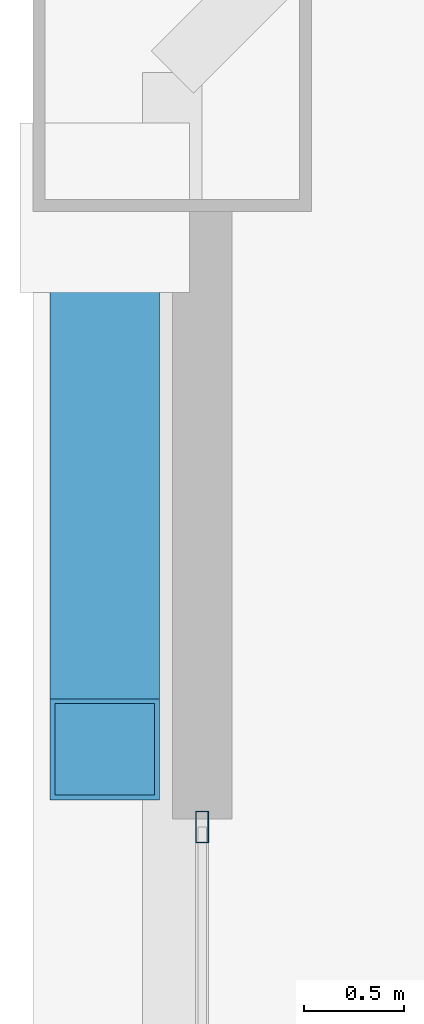
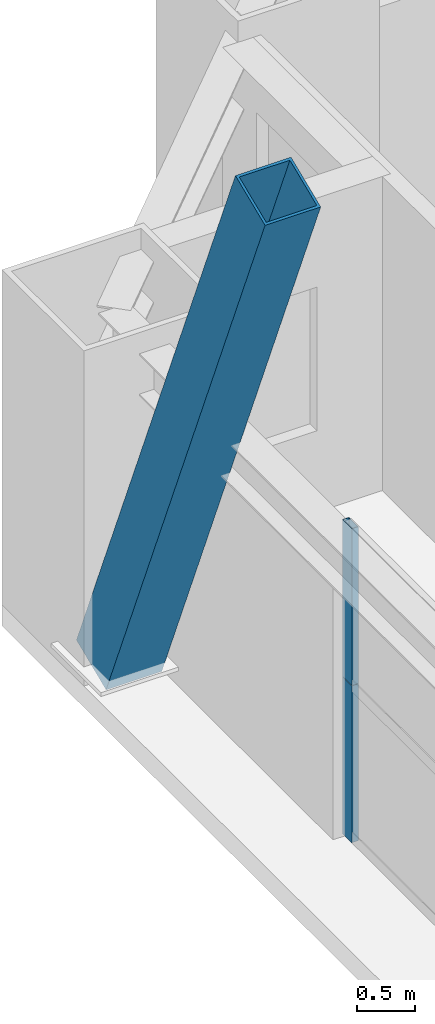
# One storey, part 27 of 42: 3 members, 1 element without a shape of its own.
"""IFC4 building model written with IfcOpenShell, lengths in metres."""

import ifcopenshell
import ifcopenshell.guid

model = None  # the IFC model being written
_history = None  # IfcOwnerHistory: only IFC2X3 demands one
_inside = {}  # id of a spatial element -> (the spatial element, [elements in it])
_under = {}  # id of a project, library or spatial element -> (it, [spatial elements below it])
_declared = {}  # id of a project -> (the project, [libraries it declares])
_typed = {}  # id of a type object -> (the type object, [elements of that type])
_made_of = {}  # id of a material, layer set ... -> (it, [elements and type objects made of it])


def new_model(schema):
    """Start an empty IFC model of exactly this schema.

    Asked for "IFC4X3", IfcOpenShell would pick the latest addendum, in which some entities
    have other attributes; the version numbers below select the first issue.
    IFC2X3 requires an IfcOwnerHistory on every rooted entity: one is made here for all.
    """
    global model, _history
    if schema == "IFC4X3":
        model = ifcopenshell.file(schema_version=(4, 3, 0, 0))
    else:
        model = ifcopenshell.file(schema=schema)
    _inside.clear()
    _under.clear()
    _declared.clear()
    _typed.clear()
    _made_of.clear()
    _history = None
    if model.schema == "IFC2X3":
        org = make("IfcOrganization", Name="unknown")
        user = make(
            "IfcPersonAndOrganization",
            ThePerson=make("IfcPerson", FamilyName="unknown"),
            TheOrganization=org,
        )
        app = make(
            "IfcApplication",
            ApplicationDeveloper=org,
            Version="unknown",
            ApplicationFullName="unknown",
            ApplicationIdentifier="unknown",
        )
        _history = make(
            "IfcOwnerHistory",
            OwningUser=user,
            OwningApplication=app,
            ChangeAction="ADDED",
            CreationDate=0,
        )
    return model


def make(cls, **values):
    """One entity of the class cls with the attributes given. An attribute that is None is left unset."""
    return model.create_entity(
        cls, **{name: value for name, value in values.items() if value is not None}
    )


def rooted(cls, **values):
    """An entity with a GlobalId (a new one), such as an element, a storey or a relation."""
    return make(cls, GlobalId=ifcopenshell.guid.new(), OwnerHistory=_history, **values)


def si_unit(unit_type, name, prefix=None):
    """IfcSIUnit, for example si_unit("LENGTHUNIT", "METRE", prefix="MILLI")."""
    return make("IfcSIUnit", UnitType=unit_type, Prefix=prefix, Name=name)


def assignment(units):
    """IfcUnitAssignment: the units of a project."""
    return None if units is None else make("IfcUnitAssignment", Units=units)


def point(xyz):
    """IfcCartesianPoint."""
    return None if xyz is None else make("IfcCartesianPoint", Coordinates=xyz)


def direction(xyz):
    """IfcDirection."""
    return None if xyz is None else make("IfcDirection", DirectionRatios=xyz)


def frame(location, z_axis=None, x_axis=None):
    """IfcAxis2Placement3D, a coordinate frame: its origin and axes. An axis left out is left unset."""
    return make(
        "IfcAxis2Placement3D",
        Location=point(location),
        Axis=direction(z_axis),
        RefDirection=direction(x_axis),
    )


def frame_2d(location, x_axis=None):
    """IfcAxis2Placement2D, a coordinate frame in the plane: its origin and x axis."""
    return make(
        "IfcAxis2Placement2D", Location=point(location), RefDirection=direction(x_axis)
    )


def origin():
    """The frame at (0, 0, 0) with its axes left unset."""
    return frame((0.0, 0.0, 0.0))


def origin_2d():
    """The frame at (0, 0) in the plane with its x axis left unset."""
    return frame_2d((0.0, 0.0))


def place(relative_to, where):
    """IfcLocalPlacement: puts the frame where relative to a parent placement (None: the world)."""
    return make(
        "IfcLocalPlacement", PlacementRelTo=relative_to, RelativePlacement=where
    )


def context(
    kind, dimensions, precision=None, world=None, true_north=None, identifier=None
):
    """IfcGeometricRepresentationContext, for example the 3D "Model" context."""
    return make(
        "IfcGeometricRepresentationContext",
        ContextIdentifier=identifier,
        ContextType=kind,
        CoordinateSpaceDimension=dimensions,
        Precision=precision,
        WorldCoordinateSystem=world,
        TrueNorth=true_north,
    )


def subcontext(parent, identifier, kind, view, scale=None):
    """IfcGeometricRepresentationSubContext, for example "Body" below "Model"."""
    return make(
        "IfcGeometricRepresentationSubContext",
        ContextIdentifier=identifier,
        ContextType=kind,
        ParentContext=parent,
        TargetScale=scale,
        TargetView=view,
    )


def project(units=None, contexts=None):
    """IfcProject with its units and contexts."""
    return rooted(
        "IfcProject",
        Name="project",
        RepresentationContexts=contexts,
        UnitsInContext=assignment(units),
    )


def spatial(cls, under=None, at=None, **own):
    """A site, building, storey or space (cls), placed at a placement, below another one or the project."""
    s = rooted(cls, ObjectPlacement=at, **own)
    if under is not None:
        _under.setdefault(under.id(), (under, []))[1].append(s)
    return s


def profile(cls, at=None, kind="AREA", **sizes):
    """A parametric profile (cls). Its sizes go by their IFC names, for example OverallWidth=200.0."""
    return make(cls, ProfileType=kind, Position=at, **sizes)


def hollow_rectangle(**sizes):
    """IfcRectangleHollowProfileDef."""
    return profile("IfcRectangleHollowProfileDef", **sizes)


def extrude(swept, where, along, depth):
    """IfcExtrudedAreaSolid: the profile swept, set in the frame where, extruded along a direction by depth."""
    return make(
        "IfcExtrudedAreaSolid",
        SweptArea=swept,
        Position=where,
        ExtrudedDirection=direction(along),
        Depth=depth,
    )


def shape(context_of_items, identifier, shape_type, items):
    """IfcShapeRepresentation: the items that make up one representation, for example the "Body"."""
    return make(
        "IfcShapeRepresentation",
        ContextOfItems=context_of_items,
        RepresentationIdentifier=identifier,
        RepresentationType=shape_type,
        Items=items,
    )


def source(mapping_origin, context_of_items, identifier, shape_type, items):
    """IfcRepresentationMap: a shape defined once, which mapped items show again and again."""
    return make(
        "IfcRepresentationMap",
        MappingOrigin=mapping_origin,
        MappedRepresentation=shape(context_of_items, identifier, shape_type, items),
    )


def transform(
    local_origin,
    x_axis=None,
    y_axis=None,
    z_axis=None,
    scale=None,
    scale2=None,
    scale3=None,
    uniform=True,
):
    """IfcCartesianTransformationOperator3D, or its non-uniform kind. x_axis, y_axis, z_axis: its Axis1, 2, 3."""
    if uniform:
        return make(
            "IfcCartesianTransformationOperator3D",
            Axis1=direction(x_axis),
            Axis2=direction(y_axis),
            LocalOrigin=point(local_origin),
            Scale=scale,
            Axis3=direction(z_axis),
        )
    return make(
        "IfcCartesianTransformationOperator3DnonUniform",
        Axis1=direction(x_axis),
        Axis2=direction(y_axis),
        LocalOrigin=point(local_origin),
        Scale=scale,
        Axis3=direction(z_axis),
        Scale2=scale2,
        Scale3=scale3,
    )


def mapped(mapping_source, mapping_target):
    """IfcMappedItem: shows the shape of a source again, moved by a transform."""
    return make(
        "IfcMappedItem", MappingSource=mapping_source, MappingTarget=mapping_target
    )


def material(Name=None, Category=None):
    """IfcMaterial."""
    return make("IfcMaterial", Name=Name, Category=Category)


def layer(
    of_material, thickness, ventilated=None, Name=None, Category=None, Priority=None
):
    """IfcMaterialLayer: one layer of a wall or slab, of a material (None: an air gap)."""
    return make(
        "IfcMaterialLayer",
        Material=of_material,
        LayerThickness=thickness,
        IsVentilated=ventilated,
        Name=Name,
        Category=Category,
        Priority=Priority,
    )


def layer_set(layers, Name=None):
    """IfcMaterialLayerSet."""
    return make("IfcMaterialLayerSet", MaterialLayers=layers, LayerSetName=Name)


def material_profile(
    of_material, cross_section, Name=None, Category=None, Priority=None
):
    """IfcMaterialProfile: a cross section and its material."""
    return make(
        "IfcMaterialProfile",
        Name=Name,
        Material=of_material,
        Profile=cross_section,
        Priority=Priority,
        Category=Category,
    )


def profile_set(profiles, Name=None, composite=None):
    """IfcMaterialProfileSet."""
    return make(
        "IfcMaterialProfileSet",
        Name=Name,
        MaterialProfiles=profiles,
        CompositeProfile=composite,
    )


def made_of(thing, what):
    """Note that an element or type object is made of a material, layer set ...; save() writes the relation."""
    if what is not None:
        _made_of.setdefault(what.id(), (what, []))[1].append(thing)
    return thing


def type_object(cls, material=None, **own):
    """A type object (cls), such as IfcWallType, which elements share."""
    return made_of(rooted(cls, **own), material)


def element(
    cls,
    number,
    at=None,
    inside=None,
    cuts=None,
    type_object=None,
    material=None,
    context=None,
    identifier="Body",
    shape_type=None,
    held_by="IfcProductDefinitionShape",
    body=None,
    shapes=None,
    **own,
):
    """One element of the class cls, such as IfcWall. Its Tag is "e" and its number.

    at: its placement. inside: the storey or other place that contains it. cuts: it is an
    opening in that element (IfcRelVoidsElement). A single representation is given by context,
    identifier, shape_type and body (its items); several are given by shapes. held_by: the class
    of the entity that holds the representations. save() writes the other relations.
    """
    e = rooted(cls, Tag="e%d" % number, ObjectPlacement=at, **own)
    if body is not None:
        shapes = [shape(context, identifier, shape_type, body)]
    if shapes is not None:
        e.Representation = make(held_by, Representations=shapes)
    if inside is not None:
        _inside.setdefault(inside.id(), (inside, []))[1].append(e)
    if cuts is not None:
        rooted(
            "IfcRelVoidsElement", RelatingBuildingElement=cuts, RelatedOpeningElement=e
        )
    if type_object is not None:
        _typed.setdefault(type_object.id(), (type_object, []))[1].append(e)
    return made_of(e, material)


def aggregate(whole, parts):
    """IfcRelAggregates: a whole, such as a stair, and the parts it consists of."""
    return rooted("IfcRelAggregates", RelatingObject=whole, RelatedObjects=parts)


def save(model, path):
    """Write the relations noted so far, then the file.

    IfcRelAggregates (storeys below a building ...), IfcRelContainedInSpatialStructure (elements
    in a storey), IfcRelDefinesByType, IfcRelAssociatesMaterial and IfcRelDeclares: one each for
    every whole, place, type object, material and project.
    """
    for whole, parts in _under.values():
        aggregate(whole, parts)
    for where, things in _inside.values():
        rooted(
            "IfcRelContainedInSpatialStructure",
            RelatedElements=things,
            RelatingStructure=where,
        )
    for kind, things in _typed.values():
        rooted("IfcRelDefinesByType", RelatedObjects=things, RelatingType=kind)
    for what, things in _made_of.values():
        rooted("IfcRelAssociatesMaterial", RelatedObjects=things, RelatingMaterial=what)
    for by, libraries in _declared.values():
        rooted("IfcRelDeclares", RelatingContext=by, RelatedDefinitions=libraries)
    model.write(path)


model = new_model("IFC4")

# Units and contexts
model_context = context("Model", 3, precision=1e-05, world=origin(), true_north=direction((0.0, 1.0)))
body_context = subcontext(model_context, "Body", "Model", "MODEL_VIEW")
ifc_project = project(units=[si_unit("LENGTHUNIT", "METRE"), si_unit("AREAUNIT", "SQUARE_METRE"), si_unit("VOLUMEUNIT", "CUBIC_METRE"), si_unit("PLANEANGLEUNIT", "RADIAN"), si_unit("MASSUNIT", "GRAM", prefix="KILO"), si_unit("THERMODYNAMICTEMPERATUREUNIT", "KELVIN"), si_unit("POWERUNIT", "WATT")], contexts=[model_context])

# Site, building, storey
site_placement = place(None, origin())
site = spatial("IfcSite", under=ifc_project, at=site_placement, CompositionType="ELEMENT")
building_placement = place(site_placement, origin())
building = spatial("IfcBuilding", under=site, at=building_placement, Name="Yuzanri Waterfront Tower", CompositionType="ELEMENT")
storey_placement = place(building_placement, frame((0.0, 0.0, 184.5)))
storey = spatial("IfcBuildingStorey", under=building, at=storey_placement, Name="L48", CompositionType="ELEMENT", Elevation=184.5)

# Member
ifc_material_1 = material(Name="Steel Q390GJC", Category="steel")
ifc_material_profile_1 = material_profile(ifc_material_1, hollow_rectangle(XDim=0.550048828125, YDim=0.550048828125, WallThickness=0.02490234375, at=origin_2d()), Name="RHS 550x550x25")
ifc_profile_set_1 = profile_set([ifc_material_profile_1], Name="Steel Q390GJC")
member_type_1 = type_object("IfcMemberType", Name="Mega Brace Mid Q390GJC RHS 550x550x25", PredefinedType="BRACE", material=ifc_profile_set_1)
shared_shape_1 = source(origin(), body_context, "Body", "SweptSolid", [
    extrude(hollow_rectangle(XDim=0.550048828125, YDim=0.550048828125, WallThickness=0.02490234375, at=origin_2d()), origin(), (0.0, 0.0, 1.0), 7.046142578125),
])
member_1_placement = place(storey_placement, frame((14.56005859375, 43.6201171875, 0.179931640625), z_axis=(0.0, -0.386051696808, 0.922477147355), x_axis=(1.0, 0.0, 0.0)))
element("IfcMember", 1, at=member_1_placement, inside=storey, type_object=member_type_1, Name="L48-L49 Perimeter Mega-Brace W-R", PredefinedType="BRACE", context=body_context, shape_type="MappedRepresentation", body=[
    mapped(shared_shape_1, transform((0.0, 0.0, 0.0), scale=1.0)),
])

# Curtain wall, members
ifc_material_2 = material(Name="Anodized Architectural Bronze", Category="metal")
ifc_layer = layer(ifc_material_2, 0.159912109375)
ifc_layer_set = layer_set([ifc_layer], Name="Anodized Architectural Bronze")
curtain_wall_type = type_object("IfcCurtainWallType", Name="Anodized Bronze Mid-Rise Residential Acoustic Unitized Curtain Wall 7200", PredefinedType="NOTDEFINED", material=ifc_layer_set)
curtain_wall_placement = place(storey_placement, origin())
curtain_wall = element("IfcCurtainWall", 2, at=curtain_wall_placement, inside=storey, type_object=curtain_wall_type, Name="L48 Curtain Wall CW-L48-WR", PredefinedType="NOTDEFINED")
ifc_material_3 = material(Name="Anodized Architectural Bronze", Category="metal")
ifc_material_profile_2 = material_profile(ifc_material_3, hollow_rectangle(XDim=0.06494140625, YDim=0.159912109375, WallThickness=0.00341796875, at=origin_2d()), Name="CWM 65x160")
ifc_profile_set_2 = profile_set([ifc_material_profile_2], Name="Anodized Architectural Bronze")
member_type_2 = type_object("IfcMemberType", Name="Anodized Bronze Upper-Zone Curtain-Wall Mullion 65x160", PredefinedType="MULLION", material=ifc_profile_set_2)
shared_shape_2 = source(origin(), body_context, "Body", "SweptSolid", [
    extrude(hollow_rectangle(XDim=0.06494140625, YDim=0.159912109375, WallThickness=0.00341796875, at=origin_2d()), origin(), (0.0, 0.0, 1.0), 1.637939453125),
])
member_2_placement = place(storey_placement, frame((15.050048828125, 40.510009765625, 0.0), z_axis=(0.0, 0.0, 1.0), x_axis=(1.0, 0.0, 0.0)))
member_2 = element("IfcMember", 3, at=member_2_placement, type_object=member_type_2, Name="CW-L48-WR Lower Mullion 02", PredefinedType="MULLION", context=body_context, shape_type="MappedRepresentation", body=[
    mapped(shared_shape_2, transform((0.0, 0.0, 0.0), scale=1.0)),
])
member_3_placement = place(storey_placement, frame((15.050048828125, 40.510009765625, 1.64208984375), z_axis=(0.0, 0.0, 1.0), x_axis=(1.0, 0.0, 0.0)))
member_3 = element("IfcMember", 4, at=member_3_placement, type_object=member_type_2, Name="CW-L48-WR Upper Mullion 02", PredefinedType="MULLION", context=body_context, shape_type="MappedRepresentation", body=[
    mapped(shared_shape_2, transform((0.0, 0.0, 0.0), scale=1.0)),
])
aggregate(curtain_wall, [member_2, member_3])

save(model, "model.ifc")
